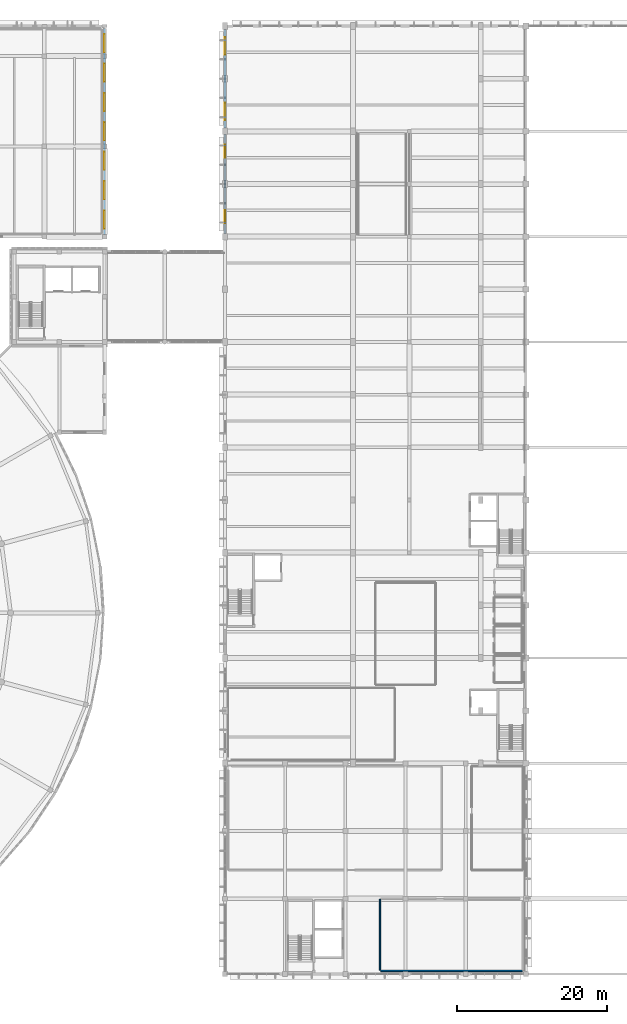
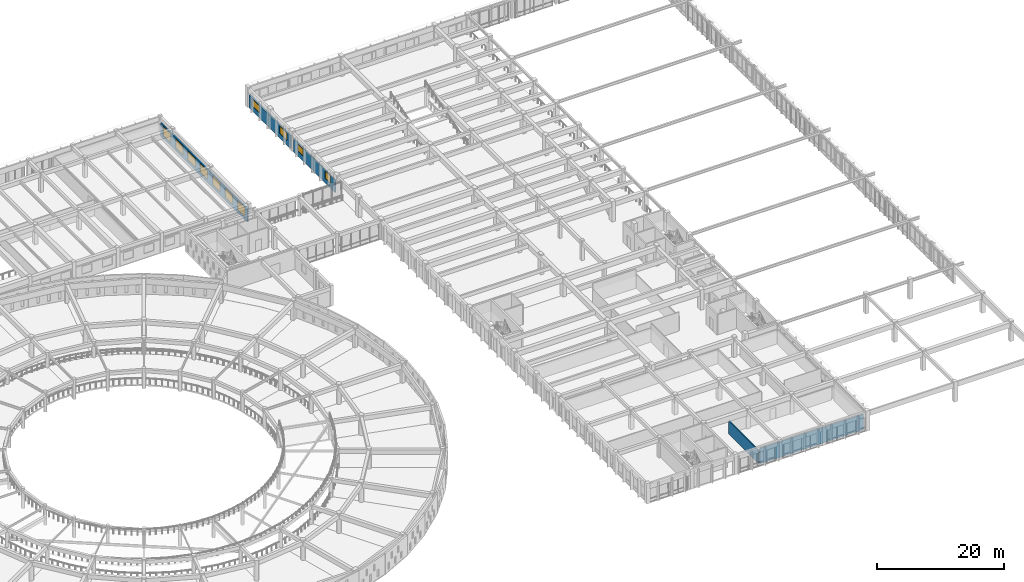
# One storey, part 72 of 98: 11 windows, 5 walls, 11 openings.
"""IFC4 building model written with IfcOpenShell, lengths in metres."""

from ifc_helpers import new_model, si_unit, direction, frame, frame_2d, origin, place, context, subcontext, project, spatial, rectangle, extrude, material, layer, layer_set, type_object, element, fill, save


model = new_model("IFC4")

# Units and contexts
model_context = context("Model", 3, precision=1e-05, world=origin(), true_north=direction((0.0, 1.0)))
body_context = subcontext(model_context, "Body", "Model", "MODEL_VIEW")
ifc_project = project(units=[si_unit("LENGTHUNIT", "METRE"), si_unit("AREAUNIT", "SQUARE_METRE"), si_unit("VOLUMEUNIT", "CUBIC_METRE"), si_unit("PLANEANGLEUNIT", "RADIAN"), si_unit("MASSUNIT", "GRAM", prefix="KILO")], contexts=[model_context])

# Site, building, storey
site_placement = place(None, origin())
site = spatial("IfcSite", under=ifc_project, at=site_placement, CompositionType="ELEMENT")
building_placement = place(site_placement, origin())
building = spatial("IfcBuilding", under=site, at=building_placement, Name="Larkveld Mobility Hub", CompositionType="ELEMENT")
storey_placement = place(building_placement, frame((0.0, 0.0, 4.5)))
storey = spatial("IfcBuildingStorey", under=building, at=storey_placement, Name="L01", CompositionType="ELEMENT", Elevation=4.5)

# Wall, openings, windows
ifc_material_1 = material(Name="Glazed architectural ceramic masonry 20 MPa", Category="masonry")
ifc_layer_1 = layer(ifc_material_1, 0.179931640625, Name="Glazed architectural ceramic masonry 20 MPa", Category="masonry")
ifc_layer_set_1 = layer_set([ifc_layer_1], Name="Glazed architectural ceramic masonry 20 MPa")
wall_type_1 = type_object("IfcWallType", Name="WL-COB-180", PredefinedType="USERDEFINED", material=ifc_layer_set_1)
wall_1_placement = place(storey_placement, frame((112.0, 111.5400390625, 0.0), z_axis=(0.0, 0.0, 1.0), x_axis=(0.0, -1.0, 0.0)))
wall_1 = element("IfcWall", 1, at=wall_1_placement, inside=storey, type_object=wall_type_1, Name="EV Wing West Ventilated Facade L01-0227", ObjectType="CERAMIC COBOGO SCREEN", PredefinedType="USERDEFINED", context=body_context, shape_type="SweptSolid", body=[
    extrude(rectangle(XDim=13.080078125, YDim=0.179931640625, at=frame_2d((6.5400390625, 0.0))), origin(), (0.0, 0.0, 1.0), 2.4951171875),
])
opening_1_placement = place(wall_1_placement, frame((1.330078125, 0.0, 0.89501953125)))
opening_1 = element("IfcOpeningElement", 2, at=opening_1_placement, cuts=wall_1, Name="Opening W24", PredefinedType="OPENING", context=body_context, shape_type="SweptSolid", body=[
    extrude(rectangle(XDim=1.699951171875, YDim=1.39990234375, at=frame_2d((0.85009765625, 0.699951171875))), frame((0.0, 0.10009765625, 0.0), z_axis=(0.0, -1.0, 0.0), x_axis=(1.0, 0.0, 0.0)), (0.0, 0.0, 1.0), 0.199951171875),
])
opening_2_placement = place(wall_1_placement, frame((10.050048828125, 0.0, 0.89501953125)))
opening_2 = element("IfcOpeningElement", 3, at=opening_2_placement, cuts=wall_1, Name="Opening W24", PredefinedType="OPENING", context=body_context, shape_type="SweptSolid", body=[
    extrude(rectangle(XDim=1.699951171875, YDim=1.39990234375, at=frame_2d((0.85009765625, 0.699951171875))), frame((0.0, 0.10009765625, 0.0), z_axis=(0.0, -1.0, 0.0), x_axis=(1.0, 0.0, 0.0)), (0.0, 0.0, 1.0), 0.199951171875),
])
ifc_material_2 = material(Name="Low-E double glazing in aluminium frame", Category="aluminium")
window_type_1 = type_object("IfcWindowType", Name="WN-ALU-24", PartitioningType="SINGLE_PANEL", PredefinedType="WINDOW", material=ifc_material_2)
window_1_placement = place(opening_1_placement, origin())
window_1 = element("IfcWindow", 4, at=window_1_placement, inside=storey, type_object=window_type_1, Name="Window W24 (1037)", OverallHeight=1.39990234375, OverallWidth=1.699951171875, PartitioningType="SINGLE_PANEL", PredefinedType="WINDOW", context=body_context, shape_type="SweptSolid", body=[
    extrude(rectangle(XDim=1.699951171875, YDim=1.39990234375, at=frame_2d((0.85009765625, 0.699951171875))), frame((0.0, 0.030029296875, 0.0), z_axis=(0.0, -1.0, 0.0), x_axis=(1.0, 0.0, 0.0)), (0.0, 0.0, 1.0), 0.06005859375),
])
fill(opening_1, window_1)
window_2_placement = place(opening_2_placement, origin())
window_2 = element("IfcWindow", 5, at=window_2_placement, inside=storey, type_object=window_type_1, Name="Window W24 (1038)", OverallHeight=1.39990234375, OverallWidth=1.699951171875, PartitioningType="SINGLE_PANEL", PredefinedType="WINDOW", context=body_context, shape_type="SweptSolid", body=[
    extrude(rectangle(XDim=1.699951171875, YDim=1.39990234375, at=frame_2d((0.85009765625, 0.699951171875))), frame((0.0, 0.030029296875, 0.0), z_axis=(0.0, -1.0, 0.0), x_axis=(1.0, 0.0, 0.0)), (0.0, 0.0, 1.0), 0.06005859375),
])
fill(opening_2, window_2)

ifc_layer_2 = layer(ifc_material_1, 0.2451171875, Name="Glazed architectural ceramic masonry 20 MPa", Category="masonry")
ifc_layer_set_2 = layer_set([ifc_layer_2], Name="Glazed architectural ceramic masonry 20 MPa")
wall_type_2 = type_object("IfcWallType", Name="WL-COB-245", PredefinedType="USERDEFINED", material=ifc_layer_set_2)
wall_2_placement = place(storey_placement, frame((112.0, 125.5400390625, 0.0), z_axis=(0.0, 0.0, 1.0), x_axis=(0.0, -1.0, 0.0)))
wall_2 = element("IfcWall", 6, at=wall_2_placement, inside=storey, type_object=wall_type_2, Name="EV Wing West Ventilated Facade L01-0228", ObjectType="CERAMIC COBOGO SCREEN", PredefinedType="USERDEFINED", context=body_context, shape_type="SweptSolid", body=[
    extrude(rectangle(XDim=13.080078125, YDim=0.2451171875, at=frame_2d((6.5400390625, 0.0))), origin(), (0.0, 0.0, 1.0), 2.4951171875),
])
opening_3_placement = place(wall_2_placement, frame((1.030029296875, 0.0, 0.89501953125)))
opening_3 = element("IfcOpeningElement", 7, at=opening_3_placement, cuts=wall_2, Name="Opening W26", PredefinedType="OPENING", context=body_context, shape_type="SweptSolid", body=[
    extrude(rectangle(XDim=2.300048828125, YDim=1.39990234375, at=frame_2d((1.14990234375, 0.699951171875))), frame((0.0, 0.132568359375, 0.0), z_axis=(0.0, -1.0, 0.0), x_axis=(1.0, 0.0, 0.0)), (0.0, 0.0, 1.0), 0.26513671875),
])
opening_4_placement = place(wall_2_placement, frame((9.75, 0.0, 0.89501953125)))
opening_4 = element("IfcOpeningElement", 8, at=opening_4_placement, cuts=wall_2, Name="Opening W26", PredefinedType="OPENING", context=body_context, shape_type="SweptSolid", body=[
    extrude(rectangle(XDim=2.300048828125, YDim=1.39990234375, at=frame_2d((1.14990234375, 0.699951171875))), frame((0.0, 0.132568359375, 0.0), z_axis=(0.0, -1.0, 0.0), x_axis=(1.0, 0.0, 0.0)), (0.0, 0.0, 1.0), 0.26513671875),
])
window_type_2 = type_object("IfcWindowType", Name="WN-ALU-26", PartitioningType="SINGLE_PANEL", PredefinedType="WINDOW", material=ifc_material_2)
window_3_placement = place(opening_3_placement, origin())
window_3 = element("IfcWindow", 9, at=window_3_placement, inside=storey, type_object=window_type_2, Name="Window W26 (1039)", OverallHeight=1.39990234375, OverallWidth=2.300048828125, PartitioningType="SINGLE_PANEL", PredefinedType="WINDOW", context=body_context, shape_type="SweptSolid", body=[
    extrude(rectangle(XDim=2.300048828125, YDim=1.39990234375, at=frame_2d((1.14990234375, 0.699951171875))), frame((0.0, 0.030029296875, 0.0), z_axis=(0.0, -1.0, 0.0), x_axis=(1.0, 0.0, 0.0)), (0.0, 0.0, 1.0), 0.06005859375),
])
fill(opening_3, window_3)
window_4_placement = place(opening_4_placement, origin())
window_4 = element("IfcWindow", 10, at=window_4_placement, inside=storey, type_object=window_type_2, Name="Window W26 (1040)", OverallHeight=1.39990234375, OverallWidth=2.300048828125, PartitioningType="SINGLE_PANEL", PredefinedType="WINDOW", context=body_context, shape_type="SweptSolid", body=[
    extrude(rectangle(XDim=2.300048828125, YDim=1.39990234375, at=frame_2d((1.14990234375, 0.699951171875))), frame((0.0, 0.030029296875, 0.0), z_axis=(0.0, -1.0, 0.0), x_axis=(1.0, 0.0, 0.0)), (0.0, 0.0, 1.0), 0.06005859375),
])
fill(opening_4, window_4)

ifc_material_3 = material(Name="Precast concrete C50/60", Category="concrete")
ifc_layer_3 = layer(ifc_material_3, 0.239990234375, Name="Precast concrete C50/60", Category="concrete")
ifc_layer_set_3 = layer_set([ifc_layer_3], Name="Precast concrete C50/60")
wall_type_3 = type_object("IfcWallType", Name="WL-EXT-240", PredefinedType="SOLIDWALL", material=ifc_layer_set_3)
wall_3_placement = place(storey_placement, frame((96.0, 98.31005859375, 0.0), z_axis=(0.0, 0.0, 1.0), x_axis=(0.0, 1.0, 0.0)))
wall_3 = element("IfcWall", 11, at=wall_3_placement, inside=storey, type_object=wall_type_3, Name="Bicycle Hall East End Wall L01-0192", PredefinedType="SOLIDWALL", context=body_context, shape_type="SweptSolid", body=[
    extrude(rectangle(XDim=27.35498046875, YDim=0.239990234375, at=frame_2d((13.677490234375, 0.0))), origin(), (0.0, 0.0, 1.0), 2.544921875),
])
opening_5_placement = place(wall_3_placement, frame((0.75390625, 0.0, 0.544921875)))
opening_5 = element("IfcOpeningElement", 12, at=opening_5_placement, cuts=wall_3, Name="Opening W14", PredefinedType="OPENING", context=body_context, shape_type="SweptSolid", body=[
    extrude(rectangle(XDim=2.39990234375, YDim=1.800048828125, at=frame_2d((1.199951171875, 0.89990234375))), frame((0.0, 0.1298828125, 0.0), z_axis=(0.0, -1.0, 0.0), x_axis=(1.0, 0.0, 0.0)), (0.0, 0.0, 1.0), 0.260009765625),
])
opening_6_placement = place(wall_3_placement, frame((4.662109375, 0.0, 0.544921875)))
opening_6 = element("IfcOpeningElement", 13, at=opening_6_placement, cuts=wall_3, Name="Opening W14", PredefinedType="OPENING", context=body_context, shape_type="SweptSolid", body=[
    extrude(rectangle(XDim=2.39990234375, YDim=1.800048828125, at=frame_2d((1.199951171875, 0.89990234375))), frame((0.0, 0.1298828125, 0.0), z_axis=(0.0, -1.0, 0.0), x_axis=(1.0, 0.0, 0.0)), (0.0, 0.0, 1.0), 0.260009765625),
])
opening_7_placement = place(wall_3_placement, frame((8.570068359375, 0.0, 0.544921875)))
opening_7 = element("IfcOpeningElement", 14, at=opening_7_placement, cuts=wall_3, Name="Opening W14", PredefinedType="OPENING", context=body_context, shape_type="SweptSolid", body=[
    extrude(rectangle(XDim=2.39990234375, YDim=1.800048828125, at=frame_2d((1.199951171875, 0.89990234375))), frame((0.0, 0.1298828125, 0.0), z_axis=(0.0, -1.0, 0.0), x_axis=(1.0, 0.0, 0.0)), (0.0, 0.0, 1.0), 0.260009765625),
])
opening_8_placement = place(wall_3_placement, frame((12.47802734375, 0.0, 0.544921875)))
opening_8 = element("IfcOpeningElement", 15, at=opening_8_placement, cuts=wall_3, Name="Opening W14", PredefinedType="OPENING", context=body_context, shape_type="SweptSolid", body=[
    extrude(rectangle(XDim=2.39990234375, YDim=1.800048828125, at=frame_2d((1.199951171875, 0.89990234375))), frame((0.0, 0.1298828125, 0.0), z_axis=(0.0, -1.0, 0.0), x_axis=(1.0, 0.0, 0.0)), (0.0, 0.0, 1.0), 0.260009765625),
])
opening_9_placement = place(wall_3_placement, frame((16.385009765625, 0.0, 0.544921875)))
opening_9 = element("IfcOpeningElement", 16, at=opening_9_placement, cuts=wall_3, Name="Opening W14", PredefinedType="OPENING", context=body_context, shape_type="SweptSolid", body=[
    extrude(rectangle(XDim=2.39990234375, YDim=1.800048828125, at=frame_2d((1.199951171875, 0.89990234375))), frame((0.0, 0.1298828125, 0.0), z_axis=(0.0, -1.0, 0.0), x_axis=(1.0, 0.0, 0.0)), (0.0, 0.0, 1.0), 0.260009765625),
])
opening_10_placement = place(wall_3_placement, frame((20.29296875, 0.0, 0.544921875)))
opening_10 = element("IfcOpeningElement", 17, at=opening_10_placement, cuts=wall_3, Name="Opening W14", PredefinedType="OPENING", context=body_context, shape_type="SweptSolid", body=[
    extrude(rectangle(XDim=2.39990234375, YDim=1.800048828125, at=frame_2d((1.199951171875, 0.89990234375))), frame((0.0, 0.1298828125, 0.0), z_axis=(0.0, -1.0, 0.0), x_axis=(1.0, 0.0, 0.0)), (0.0, 0.0, 1.0), 0.260009765625),
])
opening_11_placement = place(wall_3_placement, frame((24.200927734375, 0.0, 0.544921875)))
opening_11 = element("IfcOpeningElement", 18, at=opening_11_placement, cuts=wall_3, Name="Opening W14", PredefinedType="OPENING", context=body_context, shape_type="SweptSolid", body=[
    extrude(rectangle(XDim=2.39990234375, YDim=1.800048828125, at=frame_2d((1.199951171875, 0.89990234375))), frame((0.0, 0.1298828125, 0.0), z_axis=(0.0, -1.0, 0.0), x_axis=(1.0, 0.0, 0.0)), (0.0, 0.0, 1.0), 0.260009765625),
])
window_type_3 = type_object("IfcWindowType", Name="WN-ALU-14", PartitioningType="SINGLE_PANEL", PredefinedType="WINDOW", material=ifc_material_2)
window_5_placement = place(opening_5_placement, origin())
window_5 = element("IfcWindow", 19, at=window_5_placement, inside=storey, type_object=window_type_3, Name="Window W14 (0914)", OverallHeight=1.800048828125, OverallWidth=2.39990234375, PartitioningType="SINGLE_PANEL", PredefinedType="WINDOW", context=body_context, shape_type="SweptSolid", body=[
    extrude(rectangle(XDim=2.39990234375, YDim=1.800048828125, at=frame_2d((1.199951171875, 0.89990234375))), frame((0.0, 0.030029296875, 0.0), z_axis=(0.0, -1.0, 0.0), x_axis=(1.0, 0.0, 0.0)), (0.0, 0.0, 1.0), 0.06005859375),
])
fill(opening_5, window_5)
window_6_placement = place(opening_6_placement, origin())
window_6 = element("IfcWindow", 20, at=window_6_placement, inside=storey, type_object=window_type_3, Name="Window W14 (0915)", OverallHeight=1.800048828125, OverallWidth=2.39990234375, PartitioningType="SINGLE_PANEL", PredefinedType="WINDOW", context=body_context, shape_type="SweptSolid", body=[
    extrude(rectangle(XDim=2.39990234375, YDim=1.800048828125, at=frame_2d((1.199951171875, 0.89990234375))), frame((0.0, 0.030029296875, 0.0), z_axis=(0.0, -1.0, 0.0), x_axis=(1.0, 0.0, 0.0)), (0.0, 0.0, 1.0), 0.06005859375),
])
fill(opening_6, window_6)
window_7_placement = place(opening_7_placement, origin())
window_7 = element("IfcWindow", 21, at=window_7_placement, inside=storey, type_object=window_type_3, Name="Window W14 (0916)", OverallHeight=1.800048828125, OverallWidth=2.39990234375, PartitioningType="SINGLE_PANEL", PredefinedType="WINDOW", context=body_context, shape_type="SweptSolid", body=[
    extrude(rectangle(XDim=2.39990234375, YDim=1.800048828125, at=frame_2d((1.199951171875, 0.89990234375))), frame((0.0, 0.030029296875, 0.0), z_axis=(0.0, -1.0, 0.0), x_axis=(1.0, 0.0, 0.0)), (0.0, 0.0, 1.0), 0.06005859375),
])
fill(opening_7, window_7)
window_8_placement = place(opening_8_placement, origin())
window_8 = element("IfcWindow", 22, at=window_8_placement, inside=storey, type_object=window_type_3, Name="Window W14 (0917)", OverallHeight=1.800048828125, OverallWidth=2.39990234375, PartitioningType="SINGLE_PANEL", PredefinedType="WINDOW", context=body_context, shape_type="SweptSolid", body=[
    extrude(rectangle(XDim=2.39990234375, YDim=1.800048828125, at=frame_2d((1.199951171875, 0.89990234375))), frame((0.0, 0.030029296875, 0.0), z_axis=(0.0, -1.0, 0.0), x_axis=(1.0, 0.0, 0.0)), (0.0, 0.0, 1.0), 0.06005859375),
])
fill(opening_8, window_8)
window_9_placement = place(opening_9_placement, origin())
window_9 = element("IfcWindow", 23, at=window_9_placement, inside=storey, type_object=window_type_3, Name="Window W14 (0918)", OverallHeight=1.800048828125, OverallWidth=2.39990234375, PartitioningType="SINGLE_PANEL", PredefinedType="WINDOW", context=body_context, shape_type="SweptSolid", body=[
    extrude(rectangle(XDim=2.39990234375, YDim=1.800048828125, at=frame_2d((1.199951171875, 0.89990234375))), frame((0.0, 0.030029296875, 0.0), z_axis=(0.0, -1.0, 0.0), x_axis=(1.0, 0.0, 0.0)), (0.0, 0.0, 1.0), 0.06005859375),
])
fill(opening_9, window_9)
window_10_placement = place(opening_10_placement, origin())
window_10 = element("IfcWindow", 24, at=window_10_placement, inside=storey, type_object=window_type_3, Name="Window W14 (0919)", OverallHeight=1.800048828125, OverallWidth=2.39990234375, PartitioningType="SINGLE_PANEL", PredefinedType="WINDOW", context=body_context, shape_type="SweptSolid", body=[
    extrude(rectangle(XDim=2.39990234375, YDim=1.800048828125, at=frame_2d((1.199951171875, 0.89990234375))), frame((0.0, 0.030029296875, 0.0), z_axis=(0.0, -1.0, 0.0), x_axis=(1.0, 0.0, 0.0)), (0.0, 0.0, 1.0), 0.06005859375),
])
fill(opening_10, window_10)
window_11_placement = place(opening_11_placement, origin())
window_11 = element("IfcWindow", 25, at=window_11_placement, inside=storey, type_object=window_type_3, Name="Window W14 (0920)", OverallHeight=1.800048828125, OverallWidth=2.39990234375, PartitioningType="SINGLE_PANEL", PredefinedType="WINDOW", context=body_context, shape_type="SweptSolid", body=[
    extrude(rectangle(XDim=2.39990234375, YDim=1.800048828125, at=frame_2d((1.199951171875, 0.89990234375))), frame((0.0, 0.030029296875, 0.0), z_axis=(0.0, -1.0, 0.0), x_axis=(1.0, 0.0, 0.0)), (0.0, 0.0, 1.0), 0.06005859375),
])
fill(opening_11, window_11)

# Walls
ifc_material_4 = material(Name="Concrete blockwork masonry 14 MPa", Category="masonry")
ifc_layer_4 = layer(ifc_material_4, 0.195068359375, Name="Concrete blockwork masonry 14 MPa", Category="masonry")
ifc_layer_set_4 = layer_set([ifc_layer_4], Name="Concrete blockwork masonry 14 MPa")
wall_type_4 = type_object("IfcWallType", Name="WL-PRT-195", PredefinedType="PARTITIONING", material=ifc_layer_set_4)
wall_4_placement = place(storey_placement, frame((132.679931640625, 0.39990234375, 0.0), z_axis=(0.0, 0.0, 1.0), x_axis=(1.0, 0.0, 0.0)))
element("IfcWall", 26, at=wall_4_placement, inside=storey, type_object=wall_type_4, Name="Fleet Spare Parts and Tyre Store Partition 0099", PredefinedType="PARTITIONING", context=body_context, shape_type="SweptSolid", body=[
    extrude(rectangle(XDim=18.840087890625, YDim=0.195068359375, at=frame_2d((9.419921875, 0.0))), origin(), (0.0, 0.0, 1.0), 3.044921875),
])
wall_5_placement = place(storey_placement, frame((132.60009765625, 0.47998046875, 0.0), z_axis=(0.0, 0.0, 1.0), x_axis=(0.0, 1.0, 0.0)))
element("IfcWall", 27, at=wall_5_placement, inside=storey, type_object=wall_type_4, Name="Fleet Spare Parts and Tyre Store Partition 0101", PredefinedType="PARTITIONING", context=body_context, shape_type="SweptSolid", body=[
    extrude(rectangle(XDim=9.43994140625, YDim=0.195068359375, at=frame_2d((4.719970703125, 0.0))), origin(), (0.0, 0.0, 1.0), 2.544921875),
])

save(model, "model.ifc")
